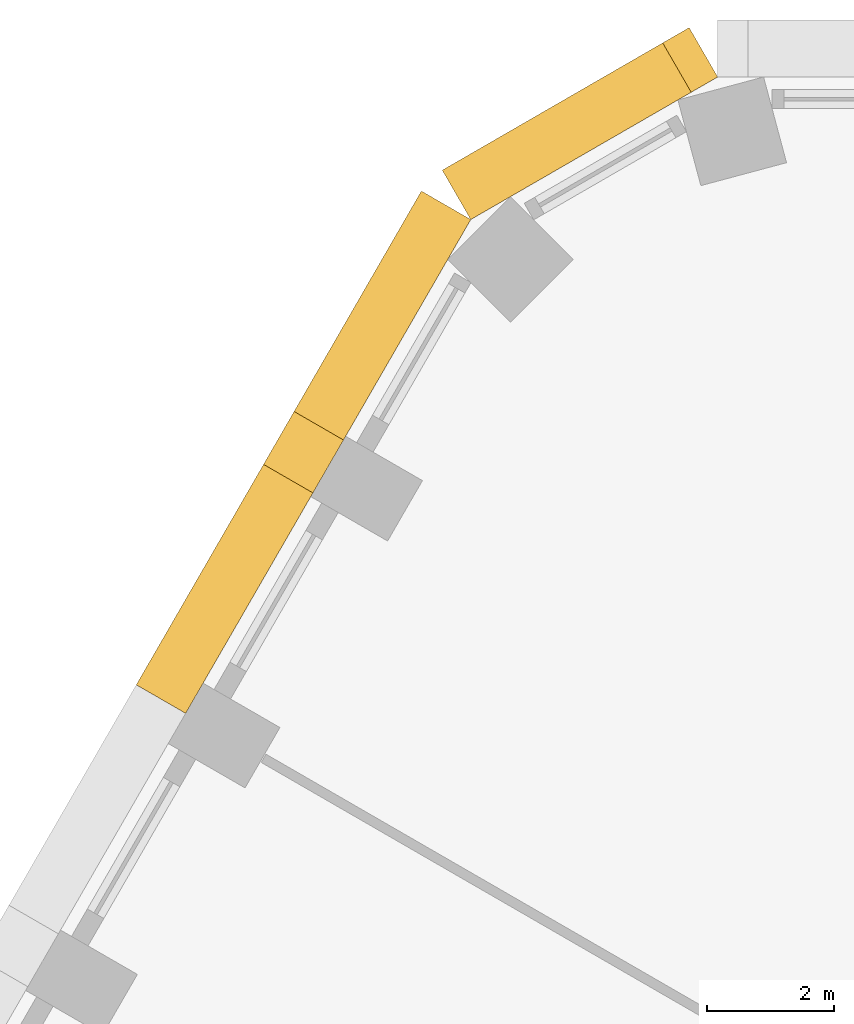
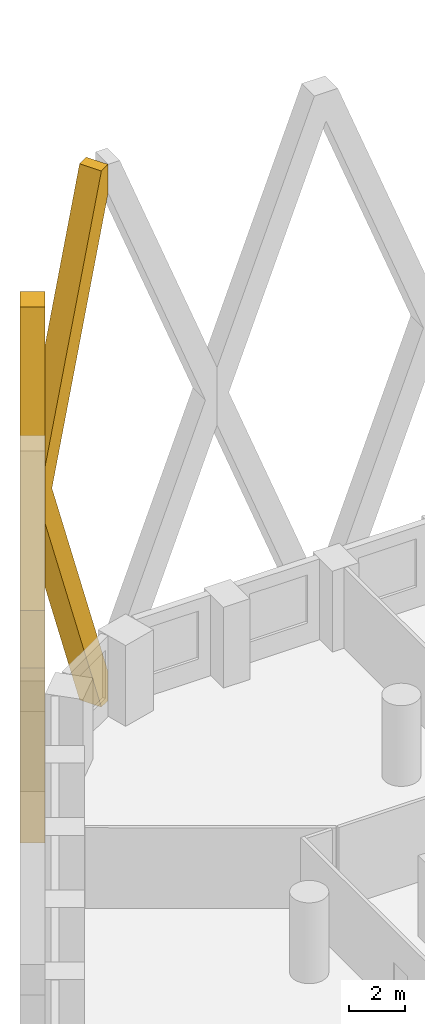
# One storey, part 16 of 18: 2 coverings.
"""IFC4 building model written with IfcOpenShell, lengths in metres."""

from ifc_helpers import new_model, si_unit, direction, frame, origin, place, context, subcontext, project, spatial, polyline, outline, extrude, material, type_object, element, save


model = new_model("IFC4")

# Units and contexts
model_context = context("Model", 3, precision=1e-05, world=origin(), true_north=direction((0.0, 1.0)))
body_context = subcontext(model_context, "Body", "Model", "MODEL_VIEW")
ifc_project = project(units=[si_unit("LENGTHUNIT", "METRE"), si_unit("AREAUNIT", "SQUARE_METRE"), si_unit("VOLUMEUNIT", "CUBIC_METRE"), si_unit("PLANEANGLEUNIT", "RADIAN"), si_unit("MASSUNIT", "GRAM", prefix="KILO")], contexts=[model_context])

# Site, building, storey
site_placement = place(None, origin())
site = spatial("IfcSite", under=ifc_project, at=site_placement, CompositionType="ELEMENT")
building_placement = place(site_placement, origin())
building = spatial("IfcBuilding", under=site, at=building_placement, Name="Dhurran Vertical Campus", CompositionType="ELEMENT")
storey_placement = place(building_placement, frame((0.0, 0.0, 30.0)))
storey = spatial("IfcBuildingStorey", under=building, at=storey_placement, Name="L06", CompositionType="ELEMENT", Elevation=30.0)

# Coverings
ifc_material = material(Name="Precast concrete C50/60", Category="concrete")
covering_type = type_object("IfcCoveringType", Name="Folded precast fin lattice diamond", PredefinedType="USERDEFINED", material=ifc_material)
covering_1_placement = place(storey_placement, frame((-20.25, 31.77978515625, 0.0), z_axis=(-0.50001992892, 0.866013897511, 0.0), x_axis=(-0.866013897511, -0.50001992892, 0.0)))
element("IfcCovering", 1, at=covering_1_placement, inside=storey, type_object=covering_type, Name="FN1 L06.022", ObjectType="FIN", PredefinedType="USERDEFINED", context=body_context, shape_type="SweptSolid", body=[
    extrude(outline(polyline([(4.5, 10.4462890625), (0.482177734375, 0.0), (0.0, 0.0), (0.0, 1.253662109375), (4.017822265625, 11.699951171875), (0.0, 22.146484375), (0.0, 23.39990234375), (0.482177734375, 23.39990234375), (4.5, 12.95361328125), (4.5, 10.4462890625)])), origin(), (0.0, 0.0, 1.0), 0.89990234375),
])
covering_2_placement = place(storey_placement, frame((-24.147216796875, 29.52978515625, 0.0), z_axis=(-0.866013897511, 0.50001992892, 0.0), x_axis=(-0.50001992892, -0.866013897511, 0.0)))
element("IfcCovering", 2, at=covering_2_placement, inside=storey, type_object=covering_type, Name="FN1 L06.023", ObjectType="FIN", PredefinedType="USERDEFINED", context=body_context, shape_type="SweptSolid", body=[
    extrude(outline(polyline([(9.0, 12.95361328125), (9.0, 10.4462890625), (4.982177734375, 0.0), (4.017822265625, 0.0), (0.0, 10.4462890625), (0.0, 12.95361328125), (4.017822265625, 23.39990234375), (4.982177734375, 23.39990234375), (9.0, 12.95361328125)]), holes=[polyline([(8.517822265625, 11.699951171875), (4.5, 22.146484375), (0.482177734375, 11.699951171875), (4.5, 1.253662109375), (8.517822265625, 11.699951171875)])]), origin(), (0.0, 0.0, 1.0), 0.89990234375),
])

save(model, "model.ifc")
